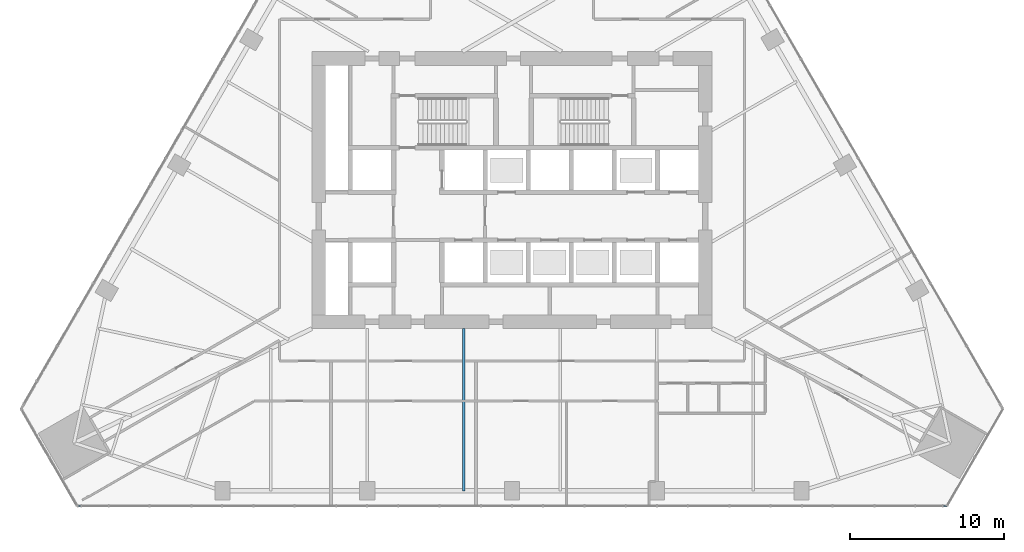
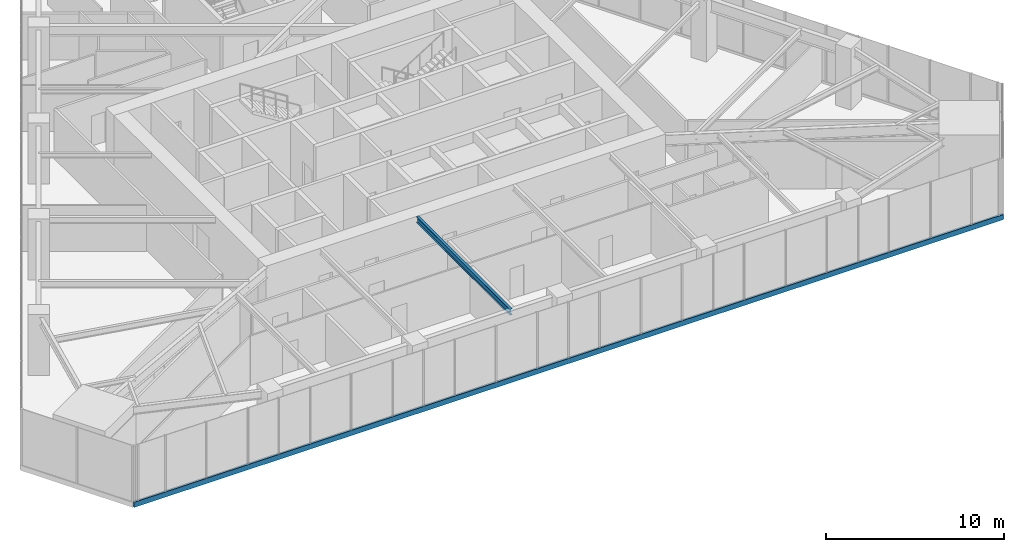
# One storey, part 3 of 21: 1 beam, 1 member, 1 element without a shape of its own.
"""IFC4 building model written with IfcOpenShell, lengths in metres."""

from ifc_helpers import new_model, si_unit, direction, frame, origin, origin_2d, place, context, subcontext, project, spatial, rectangle, i_section, extrude, material, layer, layer_set, material_profile, profile_set, type_object, element, aggregate, save


model = new_model("IFC4")

# Units and contexts
model_context = context("Model", 3, precision=1e-05, world=origin(), true_north=direction((0.0, 1.0)))
body_context = subcontext(model_context, "Body", "Model", "MODEL_VIEW")
ifc_project = project(units=[si_unit("LENGTHUNIT", "METRE"), si_unit("AREAUNIT", "SQUARE_METRE"), si_unit("VOLUMEUNIT", "CUBIC_METRE"), si_unit("PLANEANGLEUNIT", "RADIAN"), si_unit("MASSUNIT", "GRAM", prefix="KILO")], contexts=[model_context])

# Site, building, storey
site_placement = place(None, origin())
site = spatial("IfcSite", under=ifc_project, at=site_placement, CompositionType="ELEMENT")
building_placement = place(site_placement, origin())
building = spatial("IfcBuilding", under=site, at=building_placement, Name="Firuza Gate Tower and Library", CompositionType="ELEMENT")
storey_placement = place(building_placement, frame((0.0, 0.0, 98.800048828125)))
storey = spatial("IfcBuildingStorey", under=building, at=storey_placement, Name="L22", CompositionType="ELEMENT", Elevation=98.800048828125)

# Curtain wall, member
ifc_material_1 = material(Name="Aluminium 6063-T6", Category="aluminium")
ifc_layer = layer(ifc_material_1, 0.14990234375)
ifc_layer_set = layer_set([ifc_layer], Name="Unitised curtain wall, offices")
curtain_wall_type = type_object("IfcCurtainWallType", Name="Unitised curtain wall, offices", PredefinedType="NOTDEFINED", material=ifc_layer_set)
curtain_wall_placement = place(storey_placement, origin())
curtain_wall = element("IfcCurtainWall", 1, at=curtain_wall_placement, inside=storey, type_object=curtain_wall_type, Name="CW1 L22 S face", PredefinedType="NOTDEFINED")
ifc_material_2 = material(Name="Aluminium 6063-T6", Category="aluminium")
ifc_material_profile_1 = material_profile(ifc_material_2, rectangle(XDim=0.14990234375, YDim=0.35009765625, at=origin_2d()))
ifc_profile_set_1 = profile_set([ifc_material_profile_1], Name="Aluminium 6063-T6")
member_type = type_object("IfcMemberType", Name="Curtain wall transom 350x150", PredefinedType="USERDEFINED", material=ifc_profile_set_1)
member_placement = place(storey_placement, frame((46.74658203125, 54.48095703125, -0.025146484375), z_axis=(1.0, 0.0, 0.0), x_axis=(0.0, 1.0, 0.0)))
member = element("IfcMember", 2, at=member_placement, type_object=member_type, Name="Transom", ObjectType="TRANSOM", PredefinedType="USERDEFINED", context=body_context, shape_type="SweptSolid", body=[
    extrude(rectangle(XDim=0.14990234375, YDim=0.35009765625, at=origin_2d()), origin(), (0.0, 0.0, 1.0), 56.5068359375),
])
aggregate(curtain_wall, [member])

# Beam
ifc_material_3 = material(Name="Steel S355", Category="steel")
ifc_material_profile_2 = material_profile(ifc_material_3, i_section(OverallWidth=0.177978515625, OverallDepth=0.406982421875, WebThickness=0.0078125, FlangeThickness=0.0126953125, at=origin_2d()))
ifc_profile_set_2 = profile_set([ifc_material_profile_2], Name="Steel S355")
beam_type = type_object("IfcBeamType", Name="W410x60 Floor beam", PredefinedType="JOIST", material=ifc_profile_set_2)
beam_placement = place(storey_placement, frame((71.865478515625, 55.4560546875, 3.79638671875), z_axis=(0.0, 1.0, 0.0), x_axis=(-1.0, 0.0, 0.0)))
element("IfcBeam", 3, at=beam_placement, inside=storey, type_object=beam_type, Name="Floor beam L22 s22", PredefinedType="JOIST", context=body_context, shape_type="SweptSolid", body=[
    extrude(i_section(OverallWidth=0.177978515625, OverallDepth=0.406982421875, WebThickness=0.0078125, FlangeThickness=0.0126953125, at=origin_2d()), origin(), (0.0, 0.0, 1.0), 10.5439453125),
])

save(model, "model.ifc")
